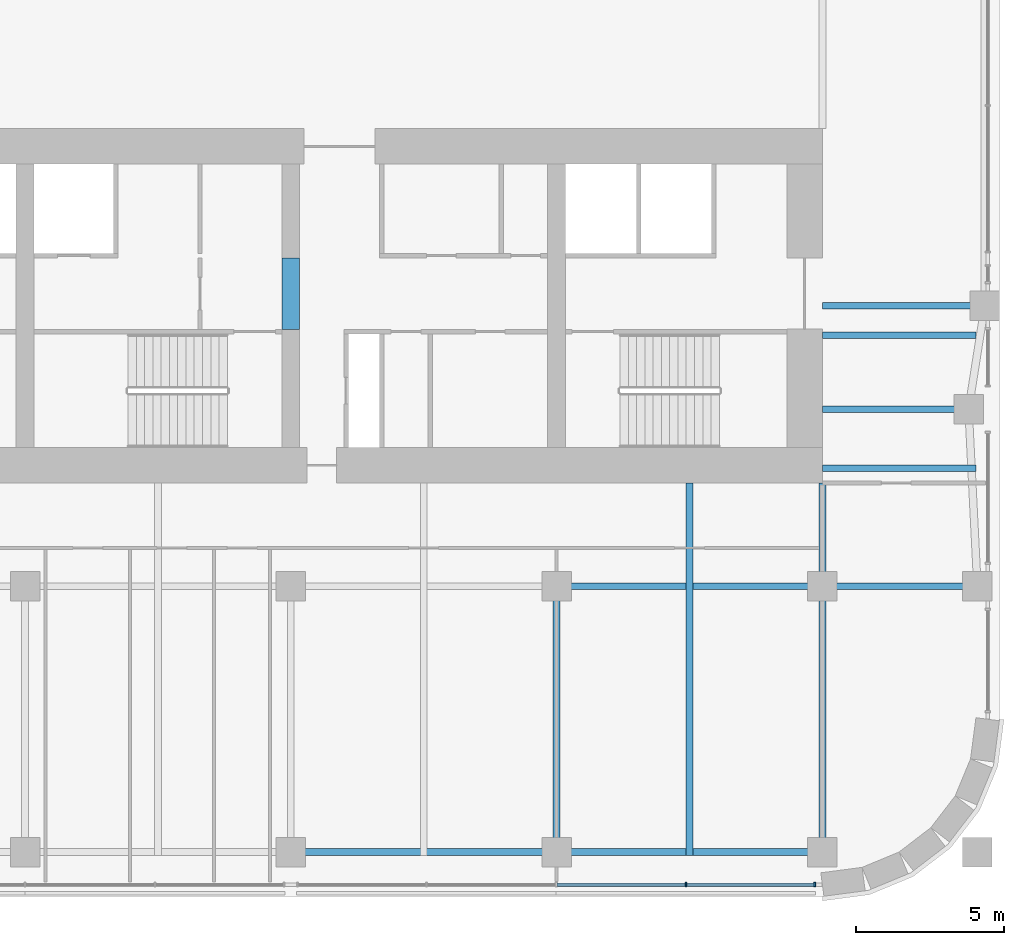
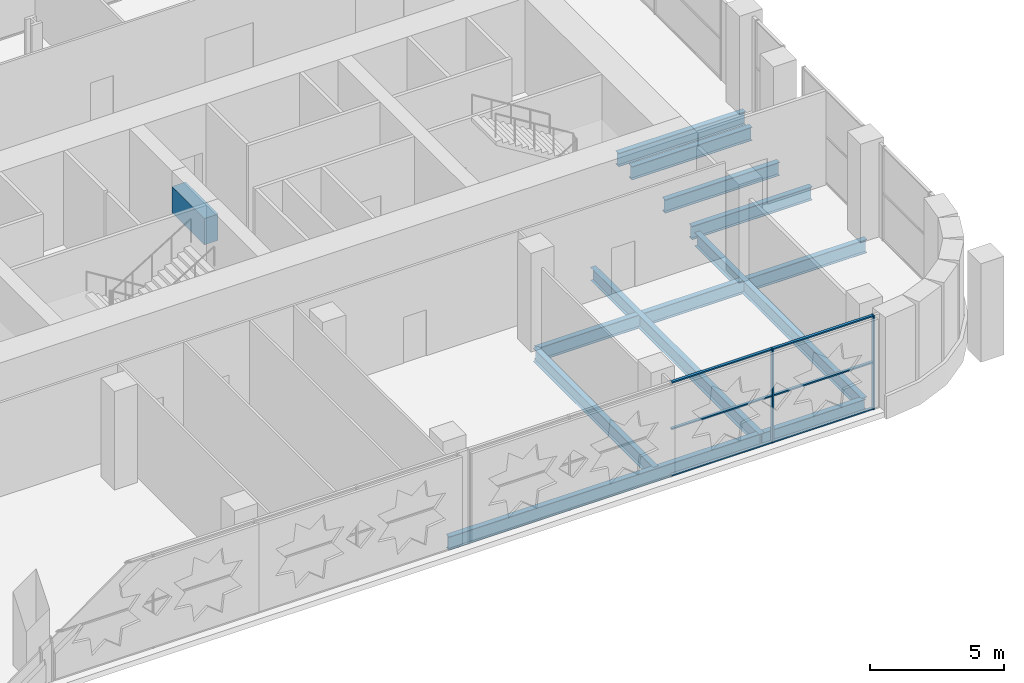
# One storey, part 6 of 24: 10 beams, 8 members, 1 element without a shape of its own.
"""IFC4 building model written with IfcOpenShell, lengths in metres."""

from ifc_helpers import new_model, si_unit, direction, frame, origin, origin_2d, place, context, subcontext, project, spatial, rectangle, i_section, extrude, material, material_profile, profile_set, type_object, element, aggregate, save


model = new_model("IFC4")

# Units and contexts
model_context = context("Model", 3, precision=1e-05, world=origin(), true_north=direction((0.0, 1.0)))
body_context = subcontext(model_context, "Body", "Model", "MODEL_VIEW")
ifc_project = project(units=[si_unit("LENGTHUNIT", "METRE"), si_unit("AREAUNIT", "SQUARE_METRE"), si_unit("VOLUMEUNIT", "CUBIC_METRE"), si_unit("PLANEANGLEUNIT", "RADIAN"), si_unit("MASSUNIT", "GRAM", prefix="KILO")], contexts=[model_context])

# Site, building, storey
site_placement = place(None, origin())
site = spatial("IfcSite", under=ifc_project, at=site_placement, CompositionType="ELEMENT")
building_placement = place(site_placement, origin())
building = spatial("IfcBuilding", under=site, at=building_placement, Name="Zellij Exchange Tower", CompositionType="ELEMENT")
storey_placement = place(building_placement, frame((0.0, 0.0, 48.0)))
storey = spatial("IfcBuildingStorey", under=building, at=storey_placement, Name="L08", CompositionType="ELEMENT", Elevation=48.0)

# Beam
ifc_material_1 = material(Name="Concrete C70/85", Category="concrete")
ifc_material_profile_1 = material_profile(ifc_material_1, rectangle(XDim=0.60009765625, YDim=1.199951171875, at=origin_2d()), Name="CORE-CB 600x1200 C70/85")
ifc_profile_set_1 = profile_set([ifc_material_profile_1], Name="Concrete C70/85")
beam_type_1 = type_object("IfcBeamType", Name="CORE-CB 600x1200 C70/85", PredefinedType="BEAM", material=ifc_profile_set_1)
beam_1_placement = place(storey_placement, frame((9.0, -8.800048828125, 3.0), z_axis=(0.0, 1.0, 0.0), x_axis=(-1.0, 0.0, 0.0)))
element("IfcBeam", 1, at=beam_1_placement, inside=storey, type_object=beam_type_1, Name="Core coupling beam x 9 L08", PredefinedType="BEAM", context=body_context, shape_type="SweptSolid", body=[
    extrude(rectangle(XDim=0.60009765625, YDim=1.199951171875, at=origin_2d()), origin(), (0.0, 0.0, 1.0), 2.425048828125),
])

# Curtain wall, members
ifc_material_2 = material(Name="Aluminium frame, clear insulating glass", Category="aluminium")
curtain_wall_type = type_object("IfcCurtainWallType", Name="ENV-CW1 Sky-garden glazing", PredefinedType="NOTDEFINED", material=ifc_material_2)
curtain_wall_placement = place(storey_placement, origin())
curtain_wall = element("IfcCurtainWall", 2, at=curtain_wall_placement, inside=storey, type_object=curtain_wall_type, Name="cw.L08.00c", PredefinedType="NOTDEFINED")
ifc_material_3 = material(Name="Aluminium", Category="aluminium")
ifc_material_profile_2 = material_profile(ifc_material_3, rectangle(XDim=0.06005859375, YDim=0.159912109375, at=origin_2d()), Name="AL 60x160")
ifc_profile_set_2 = profile_set([ifc_material_profile_2], Name="Aluminium")
member_type_1 = type_object("IfcMemberType", Name="ENV-CW1M Mullion 60x160", PredefinedType="MULLION", material=ifc_profile_set_2)
member_1_placement = place(storey_placement, frame((22.38037109375, -27.60009765625, 0.0), z_axis=(0.0, 0.0, 1.0), x_axis=(1.0, 0.0, 0.0)))
member_1 = element("IfcMember", 3, at=member_1_placement, type_object=member_type_1, Name="CW1 mullion 4", PredefinedType="MULLION", context=body_context, shape_type="SweptSolid", body=[
    extrude(rectangle(XDim=0.06005859375, YDim=0.159912109375, at=origin_2d()), origin(), (0.0, 0.0, 1.0), 4.300048828125),
])
member_2_placement = place(storey_placement, frame((26.743896484375, -27.60009765625, 0.0), z_axis=(0.0, 0.0, 1.0), x_axis=(1.0, 0.0, 0.0)))
member_2 = element("IfcMember", 4, at=member_2_placement, type_object=member_type_1, Name="CW1 mullion 5", PredefinedType="MULLION", context=body_context, shape_type="SweptSolid", body=[
    extrude(rectangle(XDim=0.06005859375, YDim=0.159912109375, at=origin_2d()), origin(), (0.0, 0.0, 1.0), 4.300048828125),
])
ifc_material_profile_3 = material_profile(ifc_material_3, rectangle(XDim=0.1201171875, YDim=0.06005859375, at=origin_2d()), Name="AL 120x60")
ifc_profile_set_3 = profile_set([ifc_material_profile_3], Name="Aluminium")
member_type_2 = type_object("IfcMemberType", Name="ENV-CW1T Transom 120x60", PredefinedType="USERDEFINED", material=ifc_profile_set_3)
member_3_placement = place(storey_placement, frame((18.016845703125, -27.60009765625, 0.030029296875), z_axis=(1.0, 0.0, 0.0), x_axis=(0.0, 1.0, 0.0)))
member_3 = element("IfcMember", 5, at=member_3_placement, type_object=member_type_2, Name="CW1 transom 3.1", ObjectType="TRANSOM", PredefinedType="USERDEFINED", context=body_context, shape_type="SweptSolid", body=[
    extrude(rectangle(XDim=0.1201171875, YDim=0.06005859375, at=origin_2d()), origin(), (0.0, 0.0, 1.0), 4.33349609375),
])
member_4_placement = place(storey_placement, frame((18.016845703125, -27.60009765625, 2.14990234375), z_axis=(1.0, 0.0, 0.0), x_axis=(0.0, 1.0, 0.0)))
member_4 = element("IfcMember", 6, at=member_4_placement, type_object=member_type_2, Name="CW1 transom 3.2", ObjectType="TRANSOM", PredefinedType="USERDEFINED", context=body_context, shape_type="SweptSolid", body=[
    extrude(rectangle(XDim=0.1201171875, YDim=0.06005859375, at=origin_2d()), origin(), (0.0, 0.0, 1.0), 4.33349609375),
])
member_5_placement = place(storey_placement, frame((18.016845703125, -27.60009765625, 4.27001953125), z_axis=(1.0, 0.0, 0.0), x_axis=(0.0, 1.0, 0.0)))
member_5 = element("IfcMember", 7, at=member_5_placement, type_object=member_type_2, Name="CW1 transom 3.3", ObjectType="TRANSOM", PredefinedType="USERDEFINED", context=body_context, shape_type="SweptSolid", body=[
    extrude(rectangle(XDim=0.1201171875, YDim=0.06005859375, at=origin_2d()), origin(), (0.0, 0.0, 1.0), 4.33349609375),
])
member_6_placement = place(storey_placement, frame((22.410400390625, -27.60009765625, 0.030029296875), z_axis=(1.0, 0.0, 0.0), x_axis=(0.0, 1.0, 0.0)))
member_6 = element("IfcMember", 8, at=member_6_placement, type_object=member_type_2, Name="CW1 transom 4.1", ObjectType="TRANSOM", PredefinedType="USERDEFINED", context=body_context, shape_type="SweptSolid", body=[
    extrude(rectangle(XDim=0.1201171875, YDim=0.06005859375, at=origin_2d()), origin(), (0.0, 0.0, 1.0), 4.303466796875),
])
member_7_placement = place(storey_placement, frame((22.410400390625, -27.60009765625, 2.14990234375), z_axis=(1.0, 0.0, 0.0), x_axis=(0.0, 1.0, 0.0)))
member_7 = element("IfcMember", 9, at=member_7_placement, type_object=member_type_2, Name="CW1 transom 4.2", ObjectType="TRANSOM", PredefinedType="USERDEFINED", context=body_context, shape_type="SweptSolid", body=[
    extrude(rectangle(XDim=0.1201171875, YDim=0.06005859375, at=origin_2d()), origin(), (0.0, 0.0, 1.0), 4.303466796875),
])
member_8_placement = place(storey_placement, frame((22.410400390625, -27.60009765625, 4.27001953125), z_axis=(1.0, 0.0, 0.0), x_axis=(0.0, 1.0, 0.0)))
member_8 = element("IfcMember", 10, at=member_8_placement, type_object=member_type_2, Name="CW1 transom 4.3", ObjectType="TRANSOM", PredefinedType="USERDEFINED", context=body_context, shape_type="SweptSolid", body=[
    extrude(rectangle(XDim=0.1201171875, YDim=0.06005859375, at=origin_2d()), origin(), (0.0, 0.0, 1.0), 4.303466796875),
])
aggregate(curtain_wall, [member_1, member_2, member_3, member_4, member_5, member_6, member_7, member_8])

# Beams
ifc_material_4 = material(Name="Structural steel ASTM A992 Gr 50", Category="steel")
ifc_material_profile_4 = material_profile(ifc_material_4, i_section(OverallWidth=0.22900390625, OverallDepth=0.612060546875, WebThickness=0.011962890625, FlangeThickness=0.01953125, at=origin_2d()), Name="W24x84")
ifc_profile_set_4 = profile_set([ifc_material_profile_4], Name="Structural steel ASTM A992 Gr 50")
beam_type_2 = type_object("IfcBeamType", Name="STR-BEAM W24x84", PredefinedType="BEAM", material=ifc_profile_set_4)
beam_2_placement = place(storey_placement, frame((22.5, -26.614501953125, -0.55615234375), z_axis=(0.0, 1.0, 0.0), x_axis=(-1.0, 0.0, 0.0)))
element("IfcBeam", 11, at=beam_2_placement, inside=storey, type_object=beam_type_2, Name="B6", PredefinedType="BEAM", context=body_context, shape_type="SweptSolid", body=[
    extrude(i_section(OverallWidth=0.22900390625, OverallDepth=0.612060546875, WebThickness=0.011962890625, FlangeThickness=0.01953125, at=origin_2d()), origin(), (0.0, 0.0, 1.0), 12.614501953125),
])
for number, where, z_axis, x_axis, name in (
    (12, (27.0, -13.5, -0.55615234375), (1.0, 0.0, 0.0), (0.0, 1.0, 0.0), "B6"),
    (13, (27.0, -9.0, -0.55615234375), (1.0, 0.0, 0.0), (0.0, 1.0, 0.0), "B6"),
):
    element("IfcBeam", number, at=place(storey_placement, frame(where, z_axis=z_axis, x_axis=x_axis)), inside=storey, type_object=beam_type_2, Name=name, PredefinedType="BEAM", context=body_context, shape_type="SweptSolid", body=[
        extrude(i_section(OverallWidth=0.22900390625, OverallDepth=0.612060546875, WebThickness=0.011962890625, FlangeThickness=0.01953125, at=origin_2d()), origin(), (0.0, 0.0, 1.0), 5.199951171875),
    ])
ifc_material_profile_5 = material_profile(ifc_material_4, i_section(OverallWidth=0.22900390625, OverallDepth=0.612060546875, WebThickness=0.011962890625, FlangeThickness=0.01953125, at=origin_2d()), Name="W24x84")
ifc_profile_set_5 = profile_set([ifc_material_profile_5], Name="Structural steel ASTM A992 Gr 50")
beam_type_3 = type_object("IfcBeamType", Name="STR-GIRDER W24x84", PredefinedType="BEAM", material=ifc_profile_set_5)
beam_3_placement = place(storey_placement, frame((9.0, -26.5, -0.55615234375), z_axis=(1.0, 0.0, 0.0), x_axis=(0.0, 1.0, 0.0)))
element("IfcBeam", 14, at=beam_3_placement, inside=storey, type_object=beam_type_3, Name="G4", PredefinedType="BEAM", context=body_context, shape_type="SweptSolid", body=[
    extrude(i_section(OverallWidth=0.22900390625, OverallDepth=0.612060546875, WebThickness=0.011962890625, FlangeThickness=0.01953125, at=origin_2d()), origin(), (0.0, 0.0, 1.0), 18.0),
])
beam_4_placement = place(storey_placement, frame((18.0, -17.5, -0.55615234375), z_axis=(1.0, 0.0, 0.0), x_axis=(0.0, 1.0, 0.0)))
element("IfcBeam", 15, at=beam_4_placement, inside=storey, type_object=beam_type_3, Name="G4", PredefinedType="BEAM", context=body_context, shape_type="SweptSolid", body=[
    extrude(i_section(OverallWidth=0.22900390625, OverallDepth=0.612060546875, WebThickness=0.011962890625, FlangeThickness=0.01953125, at=origin_2d()), origin(), (0.0, 0.0, 1.0), 14.25),
])
beam_5_placement = place(storey_placement, frame((27.0, -11.5, -0.55615234375), z_axis=(1.0, 0.0, 0.0), x_axis=(0.0, 1.0, 0.0)))
element("IfcBeam", 16, at=beam_5_placement, inside=storey, type_object=beam_type_3, Name="G4", PredefinedType="BEAM", context=body_context, shape_type="SweptSolid", body=[
    extrude(i_section(OverallWidth=0.22900390625, OverallDepth=0.612060546875, WebThickness=0.011962890625, FlangeThickness=0.01953125, at=origin_2d()), origin(), (0.0, 0.0, 1.0), 4.949951171875),
])
beam_6_placement = place(storey_placement, frame((27.0, -8.0, -0.55615234375), z_axis=(1.0, 0.0, 0.0), x_axis=(0.0, 1.0, 0.0)))
element("IfcBeam", 17, at=beam_6_placement, inside=storey, type_object=beam_type_3, Name="G4", PredefinedType="BEAM", context=body_context, shape_type="SweptSolid", body=[
    extrude(i_section(OverallWidth=0.22900390625, OverallDepth=0.612060546875, WebThickness=0.011962890625, FlangeThickness=0.01953125, at=origin_2d()), origin(), (0.0, 0.0, 1.0), 5.5),
])
beam_7_placement = place(storey_placement, frame((18.0, -26.5, -0.55615234375), z_axis=(0.0, 1.0, 0.0), x_axis=(-1.0, 0.0, 0.0)))
element("IfcBeam", 18, at=beam_7_placement, inside=storey, type_object=beam_type_3, Name="G4", PredefinedType="BEAM", context=body_context, shape_type="SweptSolid", body=[
    extrude(i_section(OverallWidth=0.22900390625, OverallDepth=0.612060546875, WebThickness=0.011962890625, FlangeThickness=0.01953125, at=origin_2d()), origin(), (0.0, 0.0, 1.0), 9.0),
])
beam_8_placement = place(storey_placement, frame((27.0, -26.5, -0.55615234375), z_axis=(0.0, 1.0, 0.0), x_axis=(-1.0, 0.0, 0.0)))
element("IfcBeam", 19, at=beam_8_placement, inside=storey, type_object=beam_type_3, Name="G4", PredefinedType="BEAM", context=body_context, shape_type="SweptSolid", body=[
    extrude(i_section(OverallWidth=0.22900390625, OverallDepth=0.612060546875, WebThickness=0.011962890625, FlangeThickness=0.01953125, at=origin_2d()), origin(), (0.0, 0.0, 1.0), 12.5),
])

save(model, "model.ifc")
